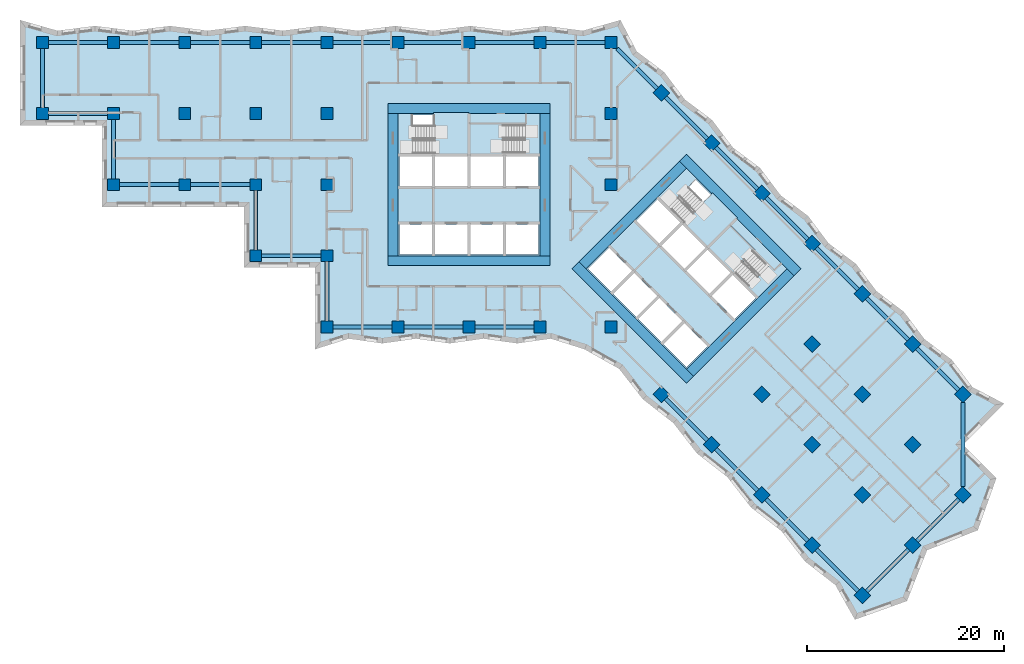
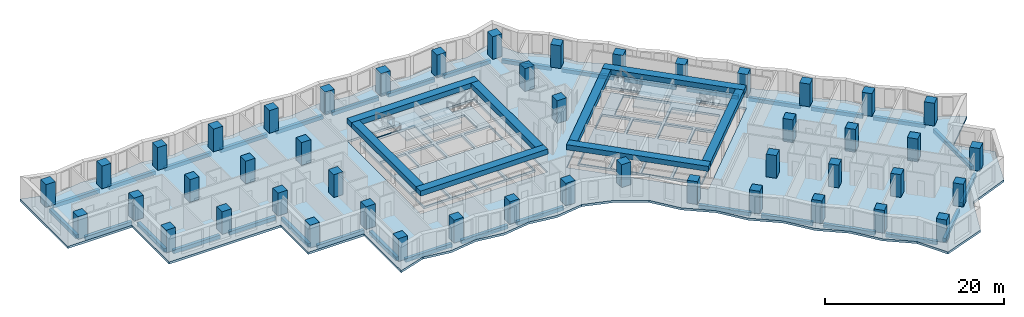
# One storey, part 1 of 12: 47 columns, 41 beams, 7 slabs, 22 openings, 4 elements without a shape of their own.
"""IFC4 building model written with IfcOpenShell, lengths in metres."""

from ifc_helpers import new_model, si_unit, direction, frame, origin, origin_2d, place, context, subcontext, project, spatial, polyline, rectangle, outline, extrude, material, layer, layer_set, material_profile, profile_set, type_object, element, aggregate, save


model = new_model("IFC4")

# Units and contexts
model_context = context("Model", 3, precision=1e-05, world=origin(), true_north=direction((0.0, 1.0)))
body_context = subcontext(model_context, "Body", "Model", "MODEL_VIEW")
ifc_project = project(units=[si_unit("LENGTHUNIT", "METRE"), si_unit("AREAUNIT", "SQUARE_METRE"), si_unit("VOLUMEUNIT", "CUBIC_METRE"), si_unit("PLANEANGLEUNIT", "RADIAN"), si_unit("MASSUNIT", "GRAM", prefix="KILO")], contexts=[model_context])

# Site, building, storey
site_placement = place(None, origin())
site = spatial("IfcSite", under=ifc_project, at=site_placement, CompositionType="ELEMENT")
building_placement = place(site_placement, origin())
building = spatial("IfcBuilding", under=site, at=building_placement, Name="Windrow Commons", CompositionType="ELEMENT")
storey_placement = place(building_placement, frame((0.0, 0.0, 47.4)))
storey = spatial("IfcBuildingStorey", under=building, at=storey_placement, Name="L12", CompositionType="ELEMENT", Elevation=47.4)

# Columns
ifc_material_1 = material(Name="Concrete C60/75", Category="concrete")
ifc_material_profile_1 = material_profile(ifc_material_1, rectangle(XDim=1.2, YDim=1.2, at=origin_2d()))
ifc_profile_set_1 = profile_set([ifc_material_profile_1], Name="Concrete C60/75")
column_type = type_object("IfcColumnType", Name="RC COLUMN 1200x1200 C60/75", PredefinedType="COLUMN", material=ifc_profile_set_1)
for number, where, z_axis, x_axis, name in (
    (1, (21.6, 64.8, 0.0), (0.0, 0.0, 1.0), (1.0, 0.0, 0.0), "C-Z1-04I"),
    (2, (21.6, 72.0, 0.0), (0.0, 0.0, 1.0), (1.0, 0.0, 0.0), "C-Z1-04J"),
    (3, (28.8, 57.6, 0.0), (0.0, 0.0, 1.0), (1.0, 0.0, 0.0), "C-Z1-05H"),
    (4, (28.8, 64.8, 0.0), (0.0, 0.0, 1.0), (1.0, 0.0, 0.0), "C-Z1-05I"),
    (5, (28.8, 72.0, 0.0), (0.0, 0.0, 1.0), (1.0, 0.0, 0.0), "C-Z1-05J"),
    (6, (36.0, 57.6, 0.0), (0.0, 0.0, 1.0), (1.0, 0.0, 0.0), "C-Z1-06H"),
    (7, (36.0, 64.8, 0.0), (0.0, 0.0, 1.0), (1.0, 0.0, 0.0), "C-Z1-06I"),
    (8, (36.0, 72.0, 0.0), (0.0, 0.0, 1.0), (1.0, 0.0, 0.0), "C-Z1-06J"),
    (9, (43.2, 50.4, 0.0), (0.0, 0.0, 1.0), (1.0, 0.0, 0.0), "C-Z1-07G"),
    (10, (43.2, 57.6, 0.0), (0.0, 0.0, 1.0), (1.0, 0.0, 0.0), "C-Z1-07H"),
    (11, (43.2, 64.8, 0.0), (0.0, 0.0, 1.0), (1.0, 0.0, 0.0), "C-Z1-07I"),
    (12, (43.2, 72.0, 0.0), (0.0, 0.0, 1.0), (1.0, 0.0, 0.0), "C-Z1-07J"),
    (13, (50.4, 43.2, 0.0), (0.0, 0.0, 1.0), (1.0, 0.0, 0.0), "C-Z1-08F"),
    (14, (50.4, 50.4, 0.0), (0.0, 0.0, 1.0), (1.0, 0.0, 0.0), "C-Z1-08G"),
    (15, (50.4, 57.6, 0.0), (0.0, 0.0, 1.0), (1.0, 0.0, 0.0), "C-Z1-08H"),
    (16, (50.4, 64.8, 0.0), (0.0, 0.0, 1.0), (1.0, 0.0, 0.0), "C-Z1-08I"),
    (17, (50.4, 72.0, 0.0), (0.0, 0.0, 1.0), (1.0, 0.0, 0.0), "C-Z1-08J"),
    (18, (57.6, 43.2, 0.0), (0.0, 0.0, 1.0), (1.0, 0.0, 0.0), "C-Z1-09F"),
    (19, (57.6, 72.0, 0.0), (0.0, 0.0, 1.0), (1.0, 0.0, 0.0), "C-Z1-09J"),
    (20, (64.8, 43.2, 0.0), (0.0, 0.0, 1.0), (1.0, 0.0, 0.0), "C-Z1-10F"),
    (21, (64.8, 72.0, 0.0), (0.0, 0.0, 1.0), (1.0, 0.0, 0.0), "C-Z1-10J"),
    (22, (72.0, 43.2, 0.0), (0.0, 0.0, 1.0), (1.0, 0.0, 0.0), "C-Z1-11F"),
    (23, (72.0, 72.0, 0.0), (0.0, 0.0, 1.0), (1.0, 0.0, 0.0), "C-Z1-11J"),
    (24, (79.2, 43.2, 0.0), (0.0, 0.0, 1.0), (1.0, 0.0, 0.0), "C-Z1-12F"),
    (25, (79.2, 57.6, 0.0), (0.0, 0.0, 1.0), (1.0, 0.0, 0.0), "C-Z1-12H"),
    (26, (79.2, 64.8, 0.0), (0.0, 0.0, 1.0), (1.0, 0.0, 0.0), "C-Z1-12I"),
    (27, (79.2, 72.0, 0.0), (0.0, 0.0, 1.0), (1.0, 0.0, 0.0), "C-Z1-12J"),
    (28, (84.2912, 66.9088, 0.0), (0.0, 0.0, 1.0), (0.7071067812, -0.7071067812, 0.0), "C-Z1-P2Q"),
    (29, (89.3823, 61.8177, 0.0), (0.0, 0.0, 1.0), (0.7071067812, -0.7071067812, 0.0), "C-Z1-P3Q"),
    (30, (94.4735, 56.7265, 0.0), (0.0, 0.0, 1.0), (0.7071067812, -0.7071067812, 0.0), "C-Z1-P4Q"),
    (31, (99.5647, 51.6353, 0.0), (0.0, 0.0, 1.0), (0.7071067812, -0.7071067812, 0.0), "C-Z1-P5Q"),
    (32, (84.2912, 36.3618, 0.0), (0.0, 0.0, 1.0), (0.7071067812, -0.7071067812, 0.0), "C-Z1-P5T"),
    (33, (104.6558, 46.5442, 0.0), (0.0, 0.0, 1.0), (0.7071067812, -0.7071067812, 0.0), "C-Z1-P6Q"),
    (34, (99.5647, 41.453, 0.0), (0.0, 0.0, 1.0), (0.7071067812, -0.7071067812, 0.0), "C-Z1-P6R"),
    (35, (94.4735, 36.3618, 0.0), (0.0, 0.0, 1.0), (0.7071067812, -0.7071067812, 0.0), "C-Z1-P6S"),
    (36, (89.3823, 31.2706, 0.0), (0.0, 0.0, 1.0), (0.7071067812, -0.7071067812, 0.0), "C-Z1-P6T"),
    (37, (109.747, 41.453, 0.0), (0.0, 0.0, 1.0), (0.7071067812, -0.7071067812, 0.0), "C-Z1-P7Q"),
    (38, (104.6558, 36.3618, 0.0), (0.0, 0.0, 1.0), (0.7071067812, -0.7071067812, 0.0), "C-Z1-P7R"),
    (39, (99.5647, 31.2706, 0.0), (0.0, 0.0, 1.0), (0.7071067812, -0.7071067812, 0.0), "C-Z1-P7S"),
    (40, (94.4735, 26.1795, 0.0), (0.0, 0.0, 1.0), (0.7071067812, -0.7071067812, 0.0), "C-Z1-P7T"),
    (41, (114.8382, 36.3618, 0.0), (0.0, 0.0, 1.0), (0.7071067812, -0.7071067812, 0.0), "C-Z1-P8Q"),
    (42, (109.747, 31.2706, 0.0), (0.0, 0.0, 1.0), (0.7071067812, -0.7071067812, 0.0), "C-Z1-P8R"),
    (43, (104.6558, 26.1795, 0.0), (0.0, 0.0, 1.0), (0.7071067812, -0.7071067812, 0.0), "C-Z1-P8S"),
    (44, (99.5647, 21.0883, 0.0), (0.0, 0.0, 1.0), (0.7071067812, -0.7071067812, 0.0), "C-Z1-P8T"),
    (45, (114.8382, 26.1795, 0.0), (0.0, 0.0, 1.0), (0.7071067812, -0.7071067812, 0.0), "C-Z1-P9R"),
    (46, (109.747, 21.0883, 0.0), (0.0, 0.0, 1.0), (0.7071067812, -0.7071067812, 0.0), "C-Z1-P9S"),
    (47, (104.6558, 15.9971, 0.0), (0.0, 0.0, 1.0), (0.7071067812, -0.7071067812, 0.0), "C-Z1-P9T"),
):
    element("IfcColumn", number, at=place(storey_placement, frame(where, z_axis=z_axis, x_axis=x_axis)), inside=storey, type_object=column_type, Name=name, PredefinedType="COLUMN", context=body_context, shape_type="SweptSolid", body=[
        extrude(rectangle(XDim=1.2, YDim=1.2, at=origin_2d()), origin(), (0.0, 0.0, 1.0), 3.1),
    ])

# Beams
ifc_material_2 = material(Name="Concrete C60/75", Category="concrete")
ifc_material_profile_2 = material_profile(ifc_material_2, rectangle(XDim=1.0, YDim=0.7, at=origin_2d()))
ifc_profile_set_2 = profile_set([ifc_material_profile_2], Name="Concrete C60/75")
beam_type_1 = type_object("IfcBeamType", Name="RC COUPLING BEAM 1000x700 C60/75", PredefinedType="LINTEL", material=ifc_profile_set_2)
for number, where, z_axis, x_axis, name in (
    (48, (56.6, 49.9, 2.75), (1.0, 0.0, 0.0), (0.0, 1.0, 0.0), "Core A coupling beam outer-S"),
    (49, (56.6, 65.3, 2.75), (1.0, 0.0, 0.0), (0.0, 1.0, 0.0), "Core A coupling beam outer-N"),
):
    element("IfcBeam", number, at=place(storey_placement, frame(where, z_axis=z_axis, x_axis=x_axis)), inside=storey, type_object=beam_type_1, Name=name, PredefinedType="LINTEL", context=body_context, shape_type="SweptSolid", body=[
        extrude(rectangle(XDim=1.0, YDim=0.7, at=origin_2d()), origin(), (0.0, 0.0, 1.0), 16.4),
    ])
for number, where, z_axis, x_axis, name in (
    (50, (57.1, 50.4, 2.75), (0.0, 1.0, 0.0), (-1.0, 0.0, 0.0), "Core A coupling beam outer-W"),
    (51, (72.5, 50.4, 2.75), (0.0, 1.0, 0.0), (-1.0, 0.0, 0.0), "Core A coupling beam outer-E"),
):
    element("IfcBeam", number, at=place(storey_placement, frame(where, z_axis=z_axis, x_axis=x_axis)), inside=storey, type_object=beam_type_1, Name=name, PredefinedType="LINTEL", context=body_context, shape_type="SweptSolid", body=[
        extrude(rectangle(XDim=1.0, YDim=0.7, at=origin_2d()), origin(), (0.0, 0.0, 1.0), 14.4),
    ])
for number, where, z_axis, x_axis, name in (
    (52, (75.5938, 49.4433, 2.75), (0.7071037324, -0.70710983, 0.0), (0.70710983, 0.7071037324, 0.0), "Core B coupling beam outer-S"),
    (53, (86.4832, 60.3327, 2.75), (0.70710983, -0.7071037324, 0.0), (0.7071037324, 0.70710983, 0.0), "Core B coupling beam outer-N"),
):
    element("IfcBeam", number, at=place(storey_placement, frame(where, z_axis=z_axis, x_axis=x_axis)), inside=storey, type_object=beam_type_1, Name=name, PredefinedType="LINTEL", context=body_context, shape_type="SweptSolid", body=[
        extrude(rectangle(XDim=1.0, YDim=0.7, at=origin_2d()), origin(), (0.0, 0.0, 1.0), 16.4),
    ])
beam_1_placement = place(storey_placement, frame((76.3009, 49.4433, 2.75), z_axis=(0.7071067812, 0.7071067812, 0.0), x_axis=(-0.7071067812, 0.7071067812, 0.0)))
element("IfcBeam", 54, at=beam_1_placement, inside=storey, type_object=beam_type_1, Name="Core B coupling beam outer-W", PredefinedType="LINTEL", context=body_context, shape_type="SweptSolid", body=[
    extrude(rectangle(XDim=1.0, YDim=0.7, at=origin_2d()), origin(), (0.0, 0.0, 1.0), 14.3999),
])
beam_2_placement = place(storey_placement, frame((87.1903, 38.5538, 2.75), z_axis=(0.707103309, 0.7071102534, 0.0), x_axis=(-0.7071102534, 0.707103309, 0.0)))
element("IfcBeam", 55, at=beam_2_placement, inside=storey, type_object=beam_type_1, Name="Core B coupling beam outer-E", PredefinedType="LINTEL", context=body_context, shape_type="SweptSolid", body=[
    extrude(rectangle(XDim=1.0, YDim=0.7, at=origin_2d()), origin(), (0.0, 0.0, 1.0), 14.4),
])
ifc_material_3 = material(Name="Concrete C60/75", Category="concrete")
ifc_material_profile_3 = material_profile(ifc_material_3, rectangle(XDim=0.4, YDim=0.5, at=origin_2d()))
ifc_profile_set_3 = profile_set([ifc_material_profile_3], Name="Concrete C60/75")
beam_type_2 = type_object("IfcBeamType", Name="RC EDGE BEAM 400x500 C60/75", PredefinedType="SPANDREL", material=ifc_profile_set_3)
for number, where, z_axis, x_axis, name in (
    (56, (49.8, 50.4, -0.55), (-1.0, 0.0, 0.0), (0.0, -1.0, 0.0), "Edge beam L12 001"),
    (57, (43.2, 51.0, -0.55), (0.0, 1.0, 0.0), (-1.0, 0.0, 0.0), "Edge beam L12 002"),
    (58, (42.6, 57.6, -0.55), (-1.0, 0.0, 0.0), (0.0, -1.0, 0.0), "Edge beam L12 003"),
    (59, (35.4, 57.6, -0.55), (-1.0, 0.0, 0.0), (0.0, -1.0, 0.0), "Edge beam L12 004"),
    (60, (28.8, 58.2, -0.55), (0.0, 1.0, 0.0), (-1.0, 0.0, 0.0), "Edge beam L12 005"),
    (61, (28.2, 64.8, -0.55), (-1.0, 0.0, 0.0), (0.0, -1.0, 0.0), "Edge beam L12 006"),
    (62, (21.6, 65.4, -0.55), (0.0, 1.0, 0.0), (-1.0, 0.0, 0.0), "Edge beam L12 007"),
    (63, (22.2, 72.0, -0.55), (1.0, 0.0, 0.0), (0.0, 1.0, 0.0), "Edge beam L12 008"),
    (64, (29.4, 72.0, -0.55), (1.0, 0.0, 0.0), (0.0, 1.0, 0.0), "Edge beam L12 009"),
    (65, (36.6, 72.0, -0.55), (1.0, 0.0, 0.0), (0.0, 1.0, 0.0), "Edge beam L12 010"),
    (66, (43.8, 72.0, -0.55), (1.0, 0.0, 0.0), (0.0, 1.0, 0.0), "Edge beam L12 011"),
    (67, (51.0, 72.0, -0.55), (1.0, 0.0, 0.0), (0.0, 1.0, 0.0), "Edge beam L12 012"),
    (68, (58.2, 72.0, -0.55), (1.0, 0.0, 0.0), (0.0, 1.0, 0.0), "Edge beam L12 013"),
    (69, (65.4, 72.0, -0.55), (1.0, 0.0, 0.0), (0.0, 1.0, 0.0), "Edge beam L12 014"),
    (70, (72.6, 72.0, -0.55), (1.0, 0.0, 0.0), (0.0, 1.0, 0.0), "Edge beam L12 015"),
):
    element("IfcBeam", number, at=place(storey_placement, frame(where, z_axis=z_axis, x_axis=x_axis)), inside=storey, type_object=beam_type_2, Name=name, PredefinedType="SPANDREL", context=body_context, shape_type="SweptSolid", body=[
        extrude(rectangle(XDim=0.4, YDim=0.5, at=origin_2d()), origin(), (0.0, 0.0, 1.0), 6.0),
    ])
beam_3_placement = place(storey_placement, frame((79.8, 71.4, -0.55), z_axis=(0.7071067812, -0.7071067812, 0.0), x_axis=(0.7071067812, 0.7071067812, 0.0)))
element("IfcBeam", 71, at=beam_3_placement, inside=storey, type_object=beam_type_2, Name="Edge beam L12 016", PredefinedType="SPANDREL", context=body_context, shape_type="SweptSolid", body=[
    extrude(rectangle(XDim=0.4, YDim=0.5, at=origin_2d()), origin(), (0.0, 0.0, 1.0), 5.7515),
])
beam_4_placement = place(storey_placement, frame((84.7155, 66.4845, -0.55), z_axis=(0.7071067812, -0.7071067812, 0.0), x_axis=(0.7071067812, 0.7071067812, 0.0)))
element("IfcBeam", 72, at=beam_4_placement, inside=storey, type_object=beam_type_2, Name="Edge beam L12 017", PredefinedType="SPANDREL", context=body_context, shape_type="SweptSolid", body=[
    extrude(rectangle(XDim=0.4, YDim=0.5, at=origin_2d()), origin(), (0.0, 0.0, 1.0), 5.9998),
])
for number, where, z_axis, x_axis, name in (
    (73, (89.8066, 61.3934, -0.55), (0.7071067812, -0.7071067812, 0.0), (0.7071067812, 0.7071067812, 0.0), "Edge beam L12 018"),
    (74, (94.8978, 56.3022, -0.55), (0.7071067812, -0.7071067812, 0.0), (0.7071067812, 0.7071067812, 0.0), "Edge beam L12 019"),
):
    element("IfcBeam", number, at=place(storey_placement, frame(where, z_axis=z_axis, x_axis=x_axis)), inside=storey, type_object=beam_type_2, Name=name, PredefinedType="SPANDREL", context=body_context, shape_type="SweptSolid", body=[
        extrude(rectangle(XDim=0.4, YDim=0.5, at=origin_2d()), origin(), (0.0, 0.0, 1.0), 5.9999),
    ])
beam_5_placement = place(storey_placement, frame((99.989, 51.211, -0.55), z_axis=(0.7071067812, -0.7071067812, 0.0), x_axis=(0.7071067812, 0.7071067812, 0.0)))
element("IfcBeam", 75, at=beam_5_placement, inside=storey, type_object=beam_type_2, Name="Edge beam L12 020", PredefinedType="SPANDREL", context=body_context, shape_type="SweptSolid", body=[
    extrude(rectangle(XDim=0.4, YDim=0.5, at=origin_2d()), origin(), (0.0, 0.0, 1.0), 5.9998),
])
for number, where, z_axis, x_axis, name in (
    (76, (105.0801, 46.1199, -0.55), (0.7071067812, -0.7071067812, 0.0), (0.7071067812, 0.7071067812, 0.0), "Edge beam L12 021"),
    (77, (110.1713, 41.0287, -0.55), (0.7071067812, -0.7071067812, 0.0), (0.7071067812, 0.7071067812, 0.0), "Edge beam L12 022"),
):
    element("IfcBeam", number, at=place(storey_placement, frame(where, z_axis=z_axis, x_axis=x_axis)), inside=storey, type_object=beam_type_2, Name=name, PredefinedType="SPANDREL", context=body_context, shape_type="SweptSolid", body=[
        extrude(rectangle(XDim=0.4, YDim=0.5, at=origin_2d()), origin(), (0.0, 0.0, 1.0), 5.9999),
    ])
beam_6_placement = place(storey_placement, frame((114.8382, 35.5133, -0.55), z_axis=(0.0, -1.0, 0.0), x_axis=(1.0, 0.0, 0.0)))
element("IfcBeam", 78, at=beam_6_placement, inside=storey, type_object=beam_type_2, Name="Edge beam L12 023", PredefinedType="SPANDREL", context=body_context, shape_type="SweptSolid", body=[
    extrude(rectangle(XDim=0.4, YDim=0.5, at=origin_2d()), origin(), (0.0, 0.0, 1.0), 8.4853),
])
for number, where, z_axis, x_axis, name in (
    (79, (114.4139, 25.7552, -0.55), (-0.7071067812, -0.7071067812, 0.0), (0.7071067812, -0.7071067812, 0.0), "Edge beam L12 024"),
    (80, (109.3227, 20.664, -0.55), (-0.7071067812, -0.7071067812, 0.0), (0.7071067812, -0.7071067812, 0.0), "Edge beam L12 025"),
    (81, (104.2315, 16.4214, -0.55), (-0.7070984476, 0.7071151146, 0.0), (-0.7071151146, -0.7070984476, 0.0), "Edge beam L12 026"),
    (82, (99.1404, 21.5126, -0.55), (-0.7071067812, 0.7071067812, 0.0), (-0.7071067812, -0.7071067812, 0.0), "Edge beam L12 027"),
    (83, (94.0492, 26.6038, -0.55), (-0.7071151146, 0.7070984476, 0.0), (-0.7070984476, -0.7071151146, 0.0), "Edge beam L12 028"),
    (84, (88.958, 31.6949, -0.55), (-0.7070984476, 0.7071151146, 0.0), (-0.7071151146, -0.7070984476, 0.0), "Edge beam L12 029"),
):
    element("IfcBeam", number, at=place(storey_placement, frame(where, z_axis=z_axis, x_axis=x_axis)), inside=storey, type_object=beam_type_2, Name=name, PredefinedType="SPANDREL", context=body_context, shape_type="SweptSolid", body=[
        extrude(rectangle(XDim=0.4, YDim=0.5, at=origin_2d()), origin(), (0.0, 0.0, 1.0), 5.9999),
    ])
for number, where, z_axis, x_axis, name in (
    (85, (71.4, 43.2, -0.55), (-1.0, 0.0, 0.0), (0.0, -1.0, 0.0), "Edge beam L12 030"),
    (86, (64.2, 43.2, -0.55), (-1.0, 0.0, 0.0), (0.0, -1.0, 0.0), "Edge beam L12 031"),
    (87, (57.0, 43.2, -0.55), (-1.0, 0.0, 0.0), (0.0, -1.0, 0.0), "Edge beam L12 032"),
    (88, (50.4, 43.8, -0.55), (0.0, 1.0, 0.0), (-1.0, 0.0, 0.0), "Edge beam L12 033"),
):
    element("IfcBeam", number, at=place(storey_placement, frame(where, z_axis=z_axis, x_axis=x_axis)), inside=storey, type_object=beam_type_2, Name=name, PredefinedType="SPANDREL", context=body_context, shape_type="SweptSolid", body=[
        extrude(rectangle(XDim=0.4, YDim=0.5, at=origin_2d()), origin(), (0.0, 0.0, 1.0), 6.0),
    ])

# Slab, openings
ifc_material_4 = material(Name="Concrete C60/75", Category="concrete")
ifc_layer_1 = layer(ifc_material_4, 0.3)
ifc_layer_set_1 = layer_set([ifc_layer_1], Name="CORE FLOOR SLAB 300 C60/75")
slab_type_1 = type_object("IfcSlabType", Name="CORE FLOOR SLAB 300 C60/75", PredefinedType="FLOOR", material=ifc_layer_set_1)
placement_1 = place(storey_placement, frame((0.0, 0.0, -0.3)))
slab_1 = element("IfcSlab", 89, at=placement_1, inside=storey, type_object=slab_type_1, Name="S-L12-core-A", PredefinedType="FLOOR", context=body_context, shape_type="SweptSolid", body=[
    extrude(outline(polyline([(57.6, 50.4), (72.0, 50.4), (72.0, 64.8), (57.6, 64.8), (57.6, 50.4)]), holes=[polyline([(57.75, 50.55), (61.05, 50.55), (61.05, 53.55), (57.75, 53.55), (57.75, 50.55)]), polyline([(61.35, 50.55), (64.65, 50.55), (64.65, 53.55), (61.35, 53.55), (61.35, 50.55)]), polyline([(64.95, 50.55), (68.25, 50.55), (68.25, 53.55), (64.95, 53.55), (64.95, 50.55)]), polyline([(68.55, 50.55), (71.85, 50.55), (71.85, 53.55), (68.55, 53.55), (68.55, 50.55)]), polyline([(57.75, 57.45), (61.05, 57.45), (61.05, 60.45), (57.75, 60.45), (57.75, 57.45)]), polyline([(61.35, 57.45), (64.65, 57.45), (64.65, 60.45), (61.35, 60.45), (61.35, 57.45)]), polyline([(64.95, 57.45), (68.25, 57.45), (68.25, 60.45), (64.95, 60.45), (64.95, 57.45)]), polyline([(68.55, 57.45), (71.85, 57.45), (71.85, 60.45), (68.55, 60.45), (68.55, 57.45)]), polyline([(59.1, 60.75), (64.65, 60.75), (64.65, 64.65), (59.1, 64.65), (59.1, 60.75)]), polyline([(64.95, 60.75), (70.5, 60.75), (70.5, 63.705), (64.95, 63.705), (64.95, 60.75)])]), origin(), (0.0, 0.0, 1.0), 0.3),
])
opening_1_placement = place(placement_1, origin())
element("IfcOpeningElement", 90, at=opening_1_placement, cuts=slab_1, Name="Slab opening S-L12-core-A 1", PredefinedType="OPENING", context=body_context, shape_type="SweptSolid", body=[
    extrude(outline(polyline([(57.755, 50.555), (57.755, 53.545), (61.045, 53.545), (61.045, 50.555), (57.755, 50.555)])), origin(), (0.0, 0.0, 1.0), 0.3),
])
opening_2_placement = place(placement_1, origin())
element("IfcOpeningElement", 91, at=opening_2_placement, cuts=slab_1, Name="Slab opening S-L12-core-A 2", PredefinedType="OPENING", context=body_context, shape_type="SweptSolid", body=[
    extrude(outline(polyline([(61.355, 50.555), (61.355, 53.545), (64.645, 53.545), (64.645, 50.555), (61.355, 50.555)])), origin(), (0.0, 0.0, 1.0), 0.3),
])
opening_3_placement = place(placement_1, origin())
element("IfcOpeningElement", 92, at=opening_3_placement, cuts=slab_1, Name="Slab opening S-L12-core-A 3", PredefinedType="OPENING", context=body_context, shape_type="SweptSolid", body=[
    extrude(outline(polyline([(64.955, 50.555), (64.955, 53.545), (68.245, 53.545), (68.245, 50.555), (64.955, 50.555)])), origin(), (0.0, 0.0, 1.0), 0.3),
])
opening_4_placement = place(placement_1, origin())
element("IfcOpeningElement", 93, at=opening_4_placement, cuts=slab_1, Name="Slab opening S-L12-core-A 4", PredefinedType="OPENING", context=body_context, shape_type="SweptSolid", body=[
    extrude(outline(polyline([(68.555, 50.555), (68.555, 53.545), (71.845, 53.545), (71.845, 50.555), (68.555, 50.555)])), origin(), (0.0, 0.0, 1.0), 0.3),
])
opening_5_placement = place(placement_1, origin())
element("IfcOpeningElement", 94, at=opening_5_placement, cuts=slab_1, Name="Slab opening S-L12-core-A 5", PredefinedType="OPENING", context=body_context, shape_type="SweptSolid", body=[
    extrude(outline(polyline([(57.755, 57.455), (57.755, 60.445), (61.045, 60.445), (61.045, 57.455), (57.755, 57.455)])), origin(), (0.0, 0.0, 1.0), 0.3),
])
opening_6_placement = place(placement_1, origin())
element("IfcOpeningElement", 95, at=opening_6_placement, cuts=slab_1, Name="Slab opening S-L12-core-A 6", PredefinedType="OPENING", context=body_context, shape_type="SweptSolid", body=[
    extrude(outline(polyline([(61.355, 57.455), (61.355, 60.445), (64.645, 60.445), (64.645, 57.455), (61.355, 57.455)])), origin(), (0.0, 0.0, 1.0), 0.3),
])
opening_7_placement = place(placement_1, origin())
element("IfcOpeningElement", 96, at=opening_7_placement, cuts=slab_1, Name="Slab opening S-L12-core-A 7", PredefinedType="OPENING", context=body_context, shape_type="SweptSolid", body=[
    extrude(outline(polyline([(64.955, 57.455), (64.955, 60.445), (68.245, 60.445), (68.245, 57.455), (64.955, 57.455)])), origin(), (0.0, 0.0, 1.0), 0.3),
])
opening_8_placement = place(placement_1, origin())
element("IfcOpeningElement", 97, at=opening_8_placement, cuts=slab_1, Name="Slab opening S-L12-core-A 8", PredefinedType="OPENING", context=body_context, shape_type="SweptSolid", body=[
    extrude(outline(polyline([(68.555, 57.455), (68.555, 60.445), (71.845, 60.445), (71.845, 57.455), (68.555, 57.455)])), origin(), (0.0, 0.0, 1.0), 0.3),
])
opening_9_placement = place(placement_1, origin())
element("IfcOpeningElement", 98, at=opening_9_placement, cuts=slab_1, Name="Slab opening S-L12-core-A 9", PredefinedType="OPENING", context=body_context, shape_type="SweptSolid", body=[
    extrude(outline(polyline([(59.105, 60.755), (59.105, 64.645), (64.645, 64.645), (64.645, 60.755), (59.105, 60.755)])), origin(), (0.0, 0.0, 1.0), 0.3),
])
opening_10_placement = place(placement_1, origin())
element("IfcOpeningElement", 99, at=opening_10_placement, cuts=slab_1, Name="Slab opening S-L12-core-A 10", PredefinedType="OPENING", context=body_context, shape_type="SweptSolid", body=[
    extrude(outline(polyline([(64.955, 60.755), (64.955, 63.7), (70.495, 63.7), (70.495, 60.755), (64.955, 60.755)])), origin(), (0.0, 0.0, 1.0), 0.3),
])

slab_2 = element("IfcSlab", 100, at=placement_1, inside=storey, type_object=slab_type_1, Name="S-L12-core-B", PredefinedType="FLOOR", context=body_context, shape_type="SweptSolid", body=[
    extrude(outline(polyline([(76.6544, 49.0897), (86.8368, 38.9074), (97.0191, 49.0897), (86.8368, 59.2721), (76.6544, 49.0897)]), holes=[polyline([(76.8665, 49.0897), (79.2, 46.7563), (81.3213, 48.8776), (78.9879, 51.2111), (76.8665, 49.0897)]), polyline([(79.4121, 46.5442), (81.7456, 44.2107), (83.8669, 46.332), (81.5335, 48.6655), (79.4121, 46.5442)]), polyline([(81.9577, 43.9986), (84.2912, 41.6651), (86.4125, 43.7864), (84.079, 46.1199), (81.9577, 43.9986)]), polyline([(84.5033, 41.453), (86.8368, 39.1195), (88.9581, 41.2409), (86.6246, 43.5743), (84.5033, 41.453)]), polyline([(81.7456, 53.9688), (84.079, 51.6353), (86.2004, 53.7566), (83.8669, 56.0901), (81.7456, 53.9688)]), polyline([(84.2912, 51.4232), (86.6246, 49.0897), (88.7459, 51.2111), (86.4125, 53.5445), (84.2912, 51.4232)]), polyline([(86.8368, 48.8776), (89.1702, 46.5442), (91.2915, 48.6655), (88.9581, 50.9989), (86.8368, 48.8776)]), polyline([(89.3823, 46.332), (91.7158, 43.9986), (93.8371, 46.1199), (91.5037, 48.4533), (89.3823, 46.332)]), polyline([(85.0336, 55.3476), (88.9581, 51.4232), (91.7158, 54.1809), (87.7913, 58.1054), (85.0336, 55.3476)]), polyline([(89.1702, 51.2111), (93.0946, 47.2866), (95.1841, 49.3761), (91.2597, 53.3006), (89.1702, 51.2111)])]), origin(), (0.0, 0.0, 1.0), 0.3),
])
opening_11_placement = place(placement_1, origin())
element("IfcOpeningElement", 101, at=opening_11_placement, cuts=slab_2, Name="Slab opening S-L12-core-B 1", PredefinedType="OPENING", context=body_context, shape_type="SweptSolid", body=[
    extrude(outline(polyline([(76.8736, 49.0897), (78.9879, 51.204), (81.3142, 48.8776), (79.2, 46.7634), (76.8736, 49.0897)])), origin(), (0.0, 0.0, 1.0), 0.3),
])
opening_12_placement = place(placement_1, origin())
element("IfcOpeningElement", 102, at=opening_12_placement, cuts=slab_2, Name="Slab opening S-L12-core-B 2", PredefinedType="OPENING", context=body_context, shape_type="SweptSolid", body=[
    extrude(outline(polyline([(79.4192, 46.5442), (81.5335, 48.6584), (83.8598, 46.332), (81.7456, 44.2178), (79.4192, 46.5442)])), origin(), (0.0, 0.0, 1.0), 0.3),
])
opening_13_placement = place(placement_1, origin())
element("IfcOpeningElement", 103, at=opening_13_placement, cuts=slab_2, Name="Slab opening S-L12-core-B 3", PredefinedType="OPENING", context=body_context, shape_type="SweptSolid", body=[
    extrude(outline(polyline([(81.9648, 43.9986), (84.079, 46.1128), (86.4054, 43.7864), (84.2912, 41.6722), (81.9648, 43.9986)])), origin(), (0.0, 0.0, 1.0), 0.3),
])
opening_14_placement = place(placement_1, origin())
element("IfcOpeningElement", 104, at=opening_14_placement, cuts=slab_2, Name="Slab opening S-L12-core-B 4", PredefinedType="OPENING", context=body_context, shape_type="SweptSolid", body=[
    extrude(outline(polyline([(84.5104, 41.453), (86.6246, 43.5672), (88.951, 41.2409), (86.8368, 39.1266), (84.5104, 41.453)])), origin(), (0.0, 0.0, 1.0), 0.3),
])
opening_15_placement = place(placement_1, origin())
element("IfcOpeningElement", 105, at=opening_15_placement, cuts=slab_2, Name="Slab opening S-L12-core-B 5", PredefinedType="OPENING", context=body_context, shape_type="SweptSolid", body=[
    extrude(outline(polyline([(81.7527, 53.9688), (83.8669, 56.083), (86.1933, 53.7566), (84.079, 51.6424), (81.7527, 53.9688)])), origin(), (0.0, 0.0, 1.0), 0.3),
])
opening_16_placement = place(placement_1, origin())
element("IfcOpeningElement", 106, at=opening_16_placement, cuts=slab_2, Name="Slab opening S-L12-core-B 6", PredefinedType="OPENING", context=body_context, shape_type="SweptSolid", body=[
    extrude(outline(polyline([(84.2983, 51.4232), (86.4125, 53.5374), (88.7388, 51.2111), (86.6246, 49.0968), (84.2983, 51.4232)])), origin(), (0.0, 0.0, 1.0), 0.3),
])
opening_17_placement = place(placement_1, origin())
element("IfcOpeningElement", 107, at=opening_17_placement, cuts=slab_2, Name="Slab opening S-L12-core-B 7", PredefinedType="OPENING", context=body_context, shape_type="SweptSolid", body=[
    extrude(outline(polyline([(86.8439, 48.8776), (88.9581, 50.9918), (91.2844, 48.6655), (89.1702, 46.5513), (86.8439, 48.8776)])), origin(), (0.0, 0.0, 1.0), 0.3),
])
opening_18_placement = place(placement_1, origin())
element("IfcOpeningElement", 108, at=opening_18_placement, cuts=slab_2, Name="Slab opening S-L12-core-B 8", PredefinedType="OPENING", context=body_context, shape_type="SweptSolid", body=[
    extrude(outline(polyline([(89.3894, 46.332), (91.5037, 48.4462), (93.83, 46.1199), (91.7158, 44.0057), (89.3894, 46.332)])), origin(), (0.0, 0.0, 1.0), 0.3),
])
opening_19_placement = place(placement_1, origin())
element("IfcOpeningElement", 109, at=opening_19_placement, cuts=slab_2, Name="Slab opening S-L12-core-B 9", PredefinedType="OPENING", context=body_context, shape_type="SweptSolid", body=[
    extrude(outline(polyline([(85.0407, 55.3476), (87.7913, 58.0983), (91.7087, 54.1809), (88.9581, 51.4303), (85.0407, 55.3476)])), origin(), (0.0, 0.0, 1.0), 0.3),
])
opening_20_placement = place(placement_1, origin())
element("IfcOpeningElement", 110, at=opening_20_placement, cuts=slab_2, Name="Slab opening S-L12-core-B 10", PredefinedType="OPENING", context=body_context, shape_type="SweptSolid", body=[
    extrude(outline(polyline([(89.1773, 51.2111), (91.2597, 53.2935), (95.177, 49.3761), (93.0946, 47.2937), (89.1773, 51.2111)])), origin(), (0.0, 0.0, 1.0), 0.3),
])

# Stair, slab
ifc_material_5 = material(Name="Concrete C40/50", Category="concrete")
stair_type = type_object("IfcStairType", Name="Core stair", PredefinedType="HALF_TURN_STAIR", material=ifc_material_5)
placement_2 = place(storey_placement, origin())
stair_1 = element("IfcStair", 111, at=placement_2, inside=storey, type_object=stair_type, Name="L12 Exit stair A1 core A", PredefinedType="HALF_TURN_STAIR")
ifc_material_6 = material(Name="Concrete C40/50", Category="concrete")
ifc_layer_2 = layer(ifc_material_6, 0.2)
ifc_layer_set_2 = layer_set([ifc_layer_2], Name="Core stair landing")
slab_type_2 = type_object("IfcSlabType", Name="Core stair landing", PredefinedType="LANDING", material=ifc_layer_set_2)
placement_3 = place(storey_placement, frame((0.0, 0.0, 1.5)))
slab_3 = element("IfcSlab", 112, at=placement_3, type_object=slab_type_2, Name="ST-A1 landing 1", PredefinedType="LANDING", context=body_context, shape_type="SweptSolid", body=[
    extrude(outline(polyline([(61.22, 60.5), (64.8, 60.5), (64.8, 64.9), (61.22, 64.9), (61.22, 60.5)])), origin(), (0.0, 0.0, 1.0), 0.2),
])
aggregate(stair_1, [slab_3])

stair_2 = element("IfcStair", 113, at=placement_2, inside=storey, type_object=stair_type, Name="L12 Exit stair A2 core A", PredefinedType="HALF_TURN_STAIR")
slab_4 = element("IfcSlab", 114, at=placement_3, type_object=slab_type_2, Name="ST-A2 landing 1", PredefinedType="LANDING", context=body_context, shape_type="SweptSolid", body=[
    extrude(outline(polyline([(64.8, 60.5), (68.38, 60.5), (68.38, 63.855), (64.8, 63.855), (64.8, 60.5)])), origin(), (0.0, 0.0, 1.0), 0.2),
])
aggregate(stair_2, [slab_4])

stair_3 = element("IfcStair", 115, at=placement_2, inside=storey, type_object=stair_type, Name="L12 Exit stair B1 core B", PredefinedType="HALF_TURN_STAIR")
slab_5 = element("IfcSlab", 116, at=placement_3, type_object=slab_type_2, Name="ST-B1 landing 1", PredefinedType="LANDING", context=body_context, shape_type="SweptSolid", body=[
    extrude(outline(polyline([(86.3559, 53.6718), (88.8874, 51.1403), (91.9986, 54.2516), (89.4672, 56.7831), (86.3559, 53.6718)])), origin(), (0.0, 0.0, 1.0), 0.2),
])
aggregate(stair_3, [slab_5])

stair_4 = element("IfcStair", 117, at=placement_2, inside=storey, type_object=stair_type, Name="L12 Exit stair B2 core B", PredefinedType="HALF_TURN_STAIR")
slab_6 = element("IfcSlab", 118, at=placement_3, type_object=slab_type_2, Name="ST-B2 landing 1", PredefinedType="LANDING", context=body_context, shape_type="SweptSolid", body=[
    extrude(outline(polyline([(88.8874, 51.1403), (91.4188, 48.6089), (93.7911, 50.9812), (91.2597, 53.5127), (88.8874, 51.1403)])), origin(), (0.0, 0.0, 1.0), 0.2),
])
aggregate(stair_4, [slab_6])

# Slab, openings
ifc_material_7 = material(Name="Concrete C60/75", Category="concrete")
ifc_layer_3 = layer(ifc_material_7, 0.3)
ifc_layer_set_3 = layer_set([ifc_layer_3], Name="FLOOR SLAB 300 C60/75")
slab_type_3 = type_object("IfcSlabType", Name="FLOOR SLAB 300 C60/75", PredefinedType="FLOOR", material=ifc_layer_set_3)
slab_7 = element("IfcSlab", 119, at=placement_1, inside=storey, type_object=slab_type_3, Name="S-L12-floor", PredefinedType="FLOOR", context=body_context, shape_type="SweptSolid", body=[
    extrude(outline(polyline([(101.9175, 17.0384), (103.8907, 13.535), (109.1732, 15.4233), (111.2029, 20.5643), (116.344, 22.5941), (118.2323, 27.8765), (114.8382, 31.2706), (118.9974, 35.4299), (115.804, 37.0931), (113.7166, 39.8621), (110.9475, 41.9496), (108.8601, 44.7187), (106.091, 46.8061), (104.0036, 49.5752), (101.2345, 51.6626), (99.1471, 54.4317), (96.378, 56.5191), (94.2906, 59.2882), (91.5215, 61.3756), (89.434, 64.1447), (86.665, 66.2321), (84.5775, 69.0012), (81.8084, 71.0887), (80.1453, 74.282), (76.3436, 73.2), (72.5419, 73.682), (68.7402, 73.2), (64.9385, 73.682), (61.1368, 73.2), (57.335, 73.682), (53.5333, 73.2), (49.7316, 73.682), (45.9299, 73.2), (42.1282, 73.682), (38.3265, 73.2), (34.5248, 73.682), (30.7231, 73.2), (26.9214, 73.682), (23.1197, 73.2), (19.318, 74.282), (19.318, 63.6), (27.6, 63.6), (27.6, 55.318), (42.0, 55.318), (42.0, 49.2), (49.2, 49.2), (49.2, 40.918), (52.6135, 42.0), (56.0269, 41.518), (59.4404, 42.0), (62.8539, 41.518), (66.2673, 42.0), (69.6808, 41.518), (73.0943, 42.0), (76.5077, 40.918), (80.0111, 38.9448), (82.4086, 35.8657), (85.4877, 33.4682), (87.8852, 30.3891), (90.9643, 27.9916), (93.3618, 24.9125), (96.4409, 22.515), (98.8384, 19.4359), (101.9175, 17.0384)]), holes=[polyline([(75.2402, 49.0897), (86.8368, 60.6863), (98.4333, 49.0897), (86.8368, 37.4932), (75.2402, 49.0897)]), polyline([(56.6, 49.4), (56.6, 65.8), (73.0, 65.8), (73.0, 49.4), (56.6, 49.4)])]), origin(), (0.0, 0.0, 1.0), 0.3),
])
opening_21_placement = place(placement_1, origin())
element("IfcOpeningElement", 120, at=opening_21_placement, cuts=slab_7, Name="Slab opening S-L12-floor 1", PredefinedType="OPENING", context=body_context, shape_type="SweptSolid", body=[
    extrude(outline(polyline([(75.2473, 49.0897), (86.8368, 60.6792), (98.4262, 49.0897), (86.8368, 37.5003), (75.2473, 49.0897)])), origin(), (0.0, 0.0, 1.0), 0.3),
])
opening_22_placement = place(placement_1, origin())
element("IfcOpeningElement", 121, at=opening_22_placement, cuts=slab_7, Name="Slab opening S-L12-floor 2", PredefinedType="OPENING", context=body_context, shape_type="SweptSolid", body=[
    extrude(outline(polyline([(56.605, 49.405), (56.605, 65.795), (72.995, 65.795), (72.995, 49.405), (56.605, 49.405)])), origin(), (0.0, 0.0, 1.0), 0.3),
])

save(model, "model.ifc")
